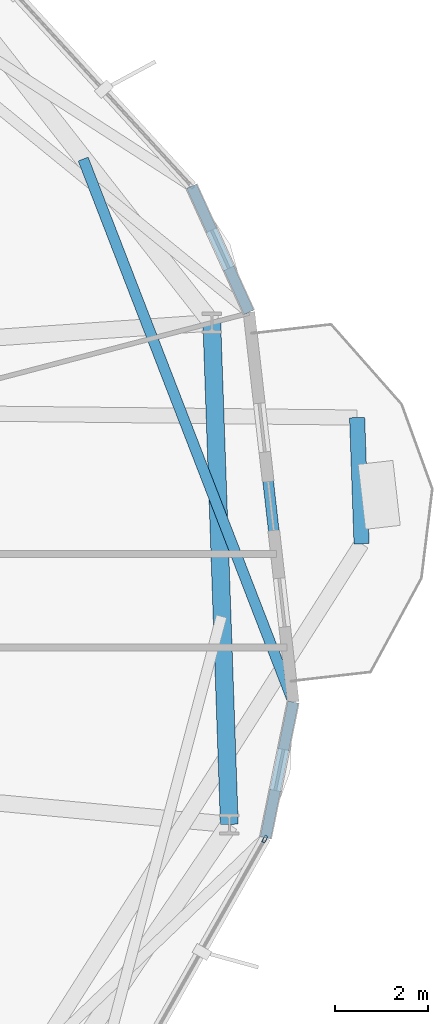
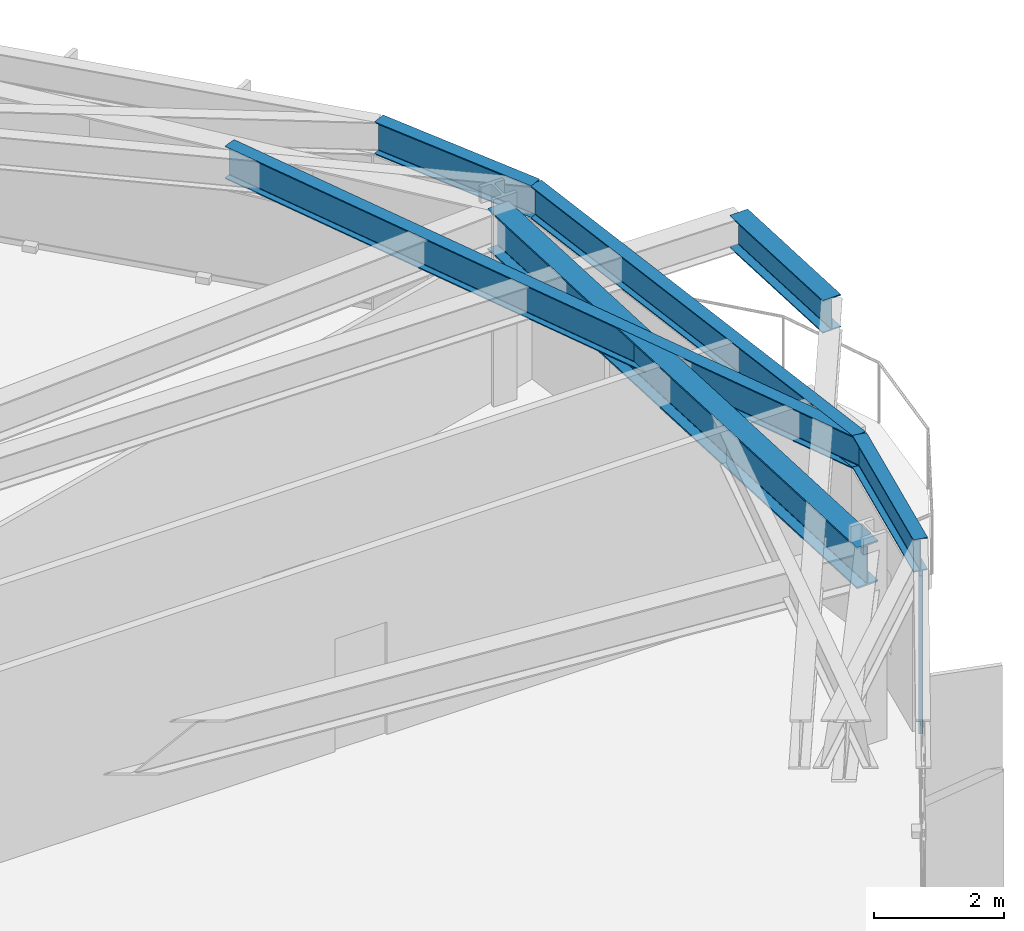
# One storey, part 12 of 23: 6 beams, 1 member, 1 element without a shape of its own.
"""IFC4 building model written with IfcOpenShell, lengths in metres."""

import ifcopenshell
import ifcopenshell.guid

model = None  # the IFC model being written
_history = None  # IfcOwnerHistory: only IFC2X3 demands one
_inside = {}  # id of a spatial element -> (the spatial element, [elements in it])
_under = {}  # id of a project, library or spatial element -> (it, [spatial elements below it])
_declared = {}  # id of a project -> (the project, [libraries it declares])
_typed = {}  # id of a type object -> (the type object, [elements of that type])
_made_of = {}  # id of a material, layer set ... -> (it, [elements and type objects made of it])


def new_model(schema):
    """Start an empty IFC model of exactly this schema.

    Asked for "IFC4X3", IfcOpenShell would pick the latest addendum, in which some entities
    have other attributes; the version numbers below select the first issue.
    IFC2X3 requires an IfcOwnerHistory on every rooted entity: one is made here for all.
    """
    global model, _history
    if schema == "IFC4X3":
        model = ifcopenshell.file(schema_version=(4, 3, 0, 0))
    else:
        model = ifcopenshell.file(schema=schema)
    _inside.clear()
    _under.clear()
    _declared.clear()
    _typed.clear()
    _made_of.clear()
    _history = None
    if model.schema == "IFC2X3":
        org = make("IfcOrganization", Name="unknown")
        user = make(
            "IfcPersonAndOrganization",
            ThePerson=make("IfcPerson", FamilyName="unknown"),
            TheOrganization=org,
        )
        app = make(
            "IfcApplication",
            ApplicationDeveloper=org,
            Version="unknown",
            ApplicationFullName="unknown",
            ApplicationIdentifier="unknown",
        )
        _history = make(
            "IfcOwnerHistory",
            OwningUser=user,
            OwningApplication=app,
            ChangeAction="ADDED",
            CreationDate=0,
        )
    return model


def make(cls, **values):
    """One entity of the class cls with the attributes given. An attribute that is None is left unset."""
    return model.create_entity(
        cls, **{name: value for name, value in values.items() if value is not None}
    )


def rooted(cls, **values):
    """An entity with a GlobalId (a new one), such as an element, a storey or a relation."""
    return make(cls, GlobalId=ifcopenshell.guid.new(), OwnerHistory=_history, **values)


def si_unit(unit_type, name, prefix=None):
    """IfcSIUnit, for example si_unit("LENGTHUNIT", "METRE", prefix="MILLI")."""
    return make("IfcSIUnit", UnitType=unit_type, Prefix=prefix, Name=name)


def assignment(units):
    """IfcUnitAssignment: the units of a project."""
    return None if units is None else make("IfcUnitAssignment", Units=units)


def point(xyz):
    """IfcCartesianPoint."""
    return None if xyz is None else make("IfcCartesianPoint", Coordinates=xyz)


def direction(xyz):
    """IfcDirection."""
    return None if xyz is None else make("IfcDirection", DirectionRatios=xyz)


def frame(location, z_axis=None, x_axis=None):
    """IfcAxis2Placement3D, a coordinate frame: its origin and axes. An axis left out is left unset."""
    return make(
        "IfcAxis2Placement3D",
        Location=point(location),
        Axis=direction(z_axis),
        RefDirection=direction(x_axis),
    )


def frame_2d(location, x_axis=None):
    """IfcAxis2Placement2D, a coordinate frame in the plane: its origin and x axis."""
    return make(
        "IfcAxis2Placement2D", Location=point(location), RefDirection=direction(x_axis)
    )


def origin():
    """The frame at (0, 0, 0) with its axes left unset."""
    return frame((0.0, 0.0, 0.0))


def origin_2d():
    """The frame at (0, 0) in the plane with its x axis left unset."""
    return frame_2d((0.0, 0.0))


def place(relative_to, where):
    """IfcLocalPlacement: puts the frame where relative to a parent placement (None: the world)."""
    return make(
        "IfcLocalPlacement", PlacementRelTo=relative_to, RelativePlacement=where
    )


def context(
    kind, dimensions, precision=None, world=None, true_north=None, identifier=None
):
    """IfcGeometricRepresentationContext, for example the 3D "Model" context."""
    return make(
        "IfcGeometricRepresentationContext",
        ContextIdentifier=identifier,
        ContextType=kind,
        CoordinateSpaceDimension=dimensions,
        Precision=precision,
        WorldCoordinateSystem=world,
        TrueNorth=true_north,
    )


def subcontext(parent, identifier, kind, view, scale=None):
    """IfcGeometricRepresentationSubContext, for example "Body" below "Model"."""
    return make(
        "IfcGeometricRepresentationSubContext",
        ContextIdentifier=identifier,
        ContextType=kind,
        ParentContext=parent,
        TargetScale=scale,
        TargetView=view,
    )


def project(units=None, contexts=None):
    """IfcProject with its units and contexts."""
    return rooted(
        "IfcProject",
        Name="project",
        RepresentationContexts=contexts,
        UnitsInContext=assignment(units),
    )


def spatial(cls, under=None, at=None, **own):
    """A site, building, storey or space (cls), placed at a placement, below another one or the project."""
    s = rooted(cls, ObjectPlacement=at, **own)
    if under is not None:
        _under.setdefault(under.id(), (under, []))[1].append(s)
    return s


def profile(cls, at=None, kind="AREA", **sizes):
    """A parametric profile (cls). Its sizes go by their IFC names, for example OverallWidth=200.0."""
    return make(cls, ProfileType=kind, Position=at, **sizes)


def hollow_rectangle(**sizes):
    """IfcRectangleHollowProfileDef."""
    return profile("IfcRectangleHollowProfileDef", **sizes)


def i_section(**sizes):
    """IfcIShapeProfileDef."""
    return profile("IfcIShapeProfileDef", **sizes)


def extrude(swept, where, along, depth):
    """IfcExtrudedAreaSolid: the profile swept, set in the frame where, extruded along a direction by depth."""
    return make(
        "IfcExtrudedAreaSolid",
        SweptArea=swept,
        Position=where,
        ExtrudedDirection=direction(along),
        Depth=depth,
    )


def shape(context_of_items, identifier, shape_type, items):
    """IfcShapeRepresentation: the items that make up one representation, for example the "Body"."""
    return make(
        "IfcShapeRepresentation",
        ContextOfItems=context_of_items,
        RepresentationIdentifier=identifier,
        RepresentationType=shape_type,
        Items=items,
    )


def material(Name=None, Category=None):
    """IfcMaterial."""
    return make("IfcMaterial", Name=Name, Category=Category)


def layer(
    of_material, thickness, ventilated=None, Name=None, Category=None, Priority=None
):
    """IfcMaterialLayer: one layer of a wall or slab, of a material (None: an air gap)."""
    return make(
        "IfcMaterialLayer",
        Material=of_material,
        LayerThickness=thickness,
        IsVentilated=ventilated,
        Name=Name,
        Category=Category,
        Priority=Priority,
    )


def layer_set(layers, Name=None):
    """IfcMaterialLayerSet."""
    return make("IfcMaterialLayerSet", MaterialLayers=layers, LayerSetName=Name)


def material_profile(
    of_material, cross_section, Name=None, Category=None, Priority=None
):
    """IfcMaterialProfile: a cross section and its material."""
    return make(
        "IfcMaterialProfile",
        Name=Name,
        Material=of_material,
        Profile=cross_section,
        Priority=Priority,
        Category=Category,
    )


def profile_set(profiles, Name=None, composite=None):
    """IfcMaterialProfileSet."""
    return make(
        "IfcMaterialProfileSet",
        Name=Name,
        MaterialProfiles=profiles,
        CompositeProfile=composite,
    )


def made_of(thing, what):
    """Note that an element or type object is made of a material, layer set ...; save() writes the relation."""
    if what is not None:
        _made_of.setdefault(what.id(), (what, []))[1].append(thing)
    return thing


def type_object(cls, material=None, **own):
    """A type object (cls), such as IfcWallType, which elements share."""
    return made_of(rooted(cls, **own), material)


def element(
    cls,
    number,
    at=None,
    inside=None,
    cuts=None,
    type_object=None,
    material=None,
    context=None,
    identifier="Body",
    shape_type=None,
    held_by="IfcProductDefinitionShape",
    body=None,
    shapes=None,
    **own,
):
    """One element of the class cls, such as IfcWall. Its Tag is "e" and its number.

    at: its placement. inside: the storey or other place that contains it. cuts: it is an
    opening in that element (IfcRelVoidsElement). A single representation is given by context,
    identifier, shape_type and body (its items); several are given by shapes. held_by: the class
    of the entity that holds the representations. save() writes the other relations.
    """
    e = rooted(cls, Tag="e%d" % number, ObjectPlacement=at, **own)
    if body is not None:
        shapes = [shape(context, identifier, shape_type, body)]
    if shapes is not None:
        e.Representation = make(held_by, Representations=shapes)
    if inside is not None:
        _inside.setdefault(inside.id(), (inside, []))[1].append(e)
    if cuts is not None:
        rooted(
            "IfcRelVoidsElement", RelatingBuildingElement=cuts, RelatedOpeningElement=e
        )
    if type_object is not None:
        _typed.setdefault(type_object.id(), (type_object, []))[1].append(e)
    return made_of(e, material)


def aggregate(whole, parts):
    """IfcRelAggregates: a whole, such as a stair, and the parts it consists of."""
    return rooted("IfcRelAggregates", RelatingObject=whole, RelatedObjects=parts)


def save(model, path):
    """Write the relations noted so far, then the file.

    IfcRelAggregates (storeys below a building ...), IfcRelContainedInSpatialStructure (elements
    in a storey), IfcRelDefinesByType, IfcRelAssociatesMaterial and IfcRelDeclares: one each for
    every whole, place, type object, material and project.
    """
    for whole, parts in _under.values():
        aggregate(whole, parts)
    for where, things in _inside.values():
        rooted(
            "IfcRelContainedInSpatialStructure",
            RelatedElements=things,
            RelatingStructure=where,
        )
    for kind, things in _typed.values():
        rooted("IfcRelDefinesByType", RelatedObjects=things, RelatingType=kind)
    for what, things in _made_of.values():
        rooted("IfcRelAssociatesMaterial", RelatedObjects=things, RelatingMaterial=what)
    for by, libraries in _declared.values():
        rooted("IfcRelDeclares", RelatingContext=by, RelatedDefinitions=libraries)
    model.write(path)


model = new_model("IFC4")

# Units and contexts
model_context = context("Model", 3, precision=1e-05, world=origin(), true_north=direction((0.0, 1.0)))
body_context = subcontext(model_context, "Body", "Model", "MODEL_VIEW")
ifc_project = project(units=[si_unit("LENGTHUNIT", "METRE"), si_unit("AREAUNIT", "SQUARE_METRE"), si_unit("VOLUMEUNIT", "CUBIC_METRE"), si_unit("PLANEANGLEUNIT", "RADIAN"), si_unit("MASSUNIT", "GRAM", prefix="KILO")], contexts=[model_context])

# Site, building, storey
site_placement = place(None, origin())
site = spatial("IfcSite", under=ifc_project, at=site_placement, CompositionType="ELEMENT")
building_placement = place(site_placement, origin())
building = spatial("IfcBuilding", under=site, at=building_placement, Name="Soratama Intermodal Tower", CompositionType="ELEMENT")
storey_placement = place(building_placement, frame((0.0, 0.0, 122.5)))
storey = spatial("IfcBuildingStorey", under=building, at=storey_placement, Name="L29", CompositionType="ELEMENT", Elevation=122.5)

# Beams
ifc_material_1 = material(Name="Structural steel ASTM A992 Grade 50", Category="steel")
ifc_material_profile_1 = material_profile(ifc_material_1, i_section(OverallWidth=0.324951171875, OverallDepth=0.615966796875, WebThickness=0.013916015625, FlangeThickness=0.021484375, FilletRadius=0.013916015625, at=origin_2d()), Name="W24X117")
ifc_profile_set_1 = profile_set([ifc_material_profile_1], Name="Structural steel ASTM A992 Grade 50")
beam_type_1 = type_object("IfcBeamType", Name="BM-CANT-W24X117", PredefinedType="BEAM", material=ifc_profile_set_1)
beam_1_placement = place(storey_placement, frame((64.55908203125, 26.216064453125, 3.2919921875), z_axis=(-0.035089849162, 0.999384161614, 0.0), x_axis=(-0.999384161614, -0.035089849162, 0.0)))
element("IfcBeam", 1, at=beam_1_placement, inside=storey, type_object=beam_type_1, Name="BM-L29-CBHDR-1", PredefinedType="BEAM", context=body_context, shape_type="SweptSolid", body=[
    extrude(i_section(OverallWidth=0.324951171875, OverallDepth=0.615966796875, WebThickness=0.013916015625, FlangeThickness=0.021484375, FilletRadius=0.013916015625, at=origin_2d()), origin(), (0.0, 0.0, 1.0), 2.70654296875),
])
ifc_material_2 = material(Name="Structural steel ASTM A992 Grade 50", Category="steel")
ifc_material_profile_2 = material_profile(ifc_material_2, i_section(OverallWidth=0.382080078125, OverallDepth=0.779052734375, WebThickness=0.01806640625, FlangeThickness=0.030029296875, FilletRadius=0.01806640625, at=origin_2d()), Name="W30X191")
ifc_profile_set_2 = profile_set([ifc_material_profile_2], Name="Structural steel ASTM A992 Grade 50")
beam_type_2 = type_object("IfcBeamType", Name="BM-RING-W30X191", PredefinedType="BEAM", material=ifc_profile_set_2)
beam_2_placement = place(storey_placement, frame((61.72607421875, 20.2041015625, 3.21044921875), z_axis=(-0.034872799059, 0.999391758964, 0.0), x_axis=(-0.999391758964, -0.034872799059, 0.0)))
element("IfcBeam", 2, at=beam_2_placement, inside=storey, type_object=beam_type_2, Name="BM-L29-RING-10", PredefinedType="BEAM", context=body_context, shape_type="SweptSolid", body=[
    extrude(i_section(OverallWidth=0.382080078125, OverallDepth=0.779052734375, WebThickness=0.01806640625, FlangeThickness=0.030029296875, FilletRadius=0.01806640625, at=origin_2d()), origin(), (0.0, 0.0, 1.0), 10.75341796875),
])
ifc_material_3 = material(Name="Structural steel ASTM A992 Grade 50", Category="steel")
ifc_material_profile_3 = material_profile(ifc_material_3, i_section(OverallWidth=0.22900390625, OverallDepth=0.612060546875, WebThickness=0.011962890625, FlangeThickness=0.01953125, FilletRadius=0.012939453125, at=origin_2d()), Name="W24X84")
ifc_profile_set_3 = profile_set([ifc_material_profile_3], Name="Structural steel ASTM A992 Grade 50")
beam_type_3 = type_object("IfcBeamType", Name="BM-SPN-W24X84", PredefinedType="SPANDREL", material=ifc_profile_set_3)
beam_3_placement = place(storey_placement, frame((62.5029296875, 19.9189453125, 3.2939453125), z_axis=(0.199564973958, 0.979884595842, 0.0), x_axis=(-0.979884595842, 0.199564973958, 0.0)))
element("IfcBeam", 3, at=beam_3_placement, inside=storey, type_object=beam_type_3, Name="BS-L29-CRN09", PredefinedType="SPANDREL", context=body_context, shape_type="SweptSolid", body=[
    extrude(i_section(OverallWidth=0.22900390625, OverallDepth=0.612060546875, WebThickness=0.011962890625, FlangeThickness=0.01953125, FilletRadius=0.012939453125, at=origin_2d()), origin(), (0.0, 0.0, 1.0), 2.966552734375),
])
beam_4_placement = place(storey_placement, frame((63.094970703125, 22.825927734375, 3.2939453125), z_axis=(-0.112793672732, 0.993618431487, 0.0), x_axis=(-0.993618431487, -0.112793672732, 0.0)))
element("IfcBeam", 4, at=beam_4_placement, inside=storey, type_object=beam_type_3, Name="BS-L29-F10", PredefinedType="SPANDREL", context=body_context, shape_type="SweptSolid", body=[
    extrude(i_section(OverallWidth=0.22900390625, OverallDepth=0.612060546875, WebThickness=0.011962890625, FlangeThickness=0.01953125, FilletRadius=0.012939453125, at=origin_2d()), origin(), (0.0, 0.0, 1.0), 8.40478515625),
])
beam_5_placement = place(storey_placement, frame((62.14697265625, 31.177001953125, 3.2939453125), z_axis=(-0.414292732042, 0.910143687654, 0.0), x_axis=(-0.910143687654, -0.414292732042, 0.0)))
element("IfcBeam", 5, at=beam_5_placement, inside=storey, type_object=beam_type_3, Name="BS-L29-CRN10", PredefinedType="SPANDREL", context=body_context, shape_type="SweptSolid", body=[
    extrude(i_section(OverallWidth=0.22900390625, OverallDepth=0.612060546875, WebThickness=0.011962890625, FlangeThickness=0.01953125, FilletRadius=0.012939453125, at=origin_2d()), origin(), (0.0, 0.0, 1.0), 2.966552734375),
])
ifc_material_4 = material(Name="Structural steel ASTM A992 Grade 50", Category="steel")
ifc_material_profile_4 = material_profile(ifc_material_4, i_section(OverallWidth=0.22900390625, OverallDepth=0.612060546875, WebThickness=0.011962890625, FlangeThickness=0.01953125, FilletRadius=0.012939453125, at=origin_2d()), Name="W24X84")
ifc_profile_set_4 = profile_set([ifc_material_profile_4], Name="Structural steel ASTM A992 Grade 50")
beam_type_4 = type_object("IfcBeamType", Name="BM-TIE-W24X84", PredefinedType="BEAM", material=ifc_profile_set_4)
beam_6_placement = place(storey_placement, frame((58.594970703125, 34.458984375, 3.2939453125), z_axis=(0.360776642173, -0.932652247337, 0.0), x_axis=(0.932652247337, 0.360776642173, 0.0)))
element("IfcBeam", 6, at=beam_6_placement, inside=storey, type_object=beam_type_4, Name="BM-L29-TIE0-10", PredefinedType="BEAM", context=body_context, shape_type="SweptSolid", body=[
    extrude(i_section(OverallWidth=0.22900390625, OverallDepth=0.612060546875, WebThickness=0.011962890625, FlangeThickness=0.01953125, FilletRadius=0.012939453125, at=origin_2d()), origin(), (0.0, 0.0, 1.0), 12.47314453125),
])

# Curtain wall, member
ifc_material_5 = material(Name="Double-glazed aluminium curtain wall", Category="aluminium")
ifc_layer = layer(ifc_material_5, 0.159912109375)
ifc_layer_set = layer_set([ifc_layer], Name="Double-glazed aluminium curtain wall")
curtain_wall_type = type_object("IfcCurtainWallType", Name="CW-SYS-3", PredefinedType="NOTDEFINED", material=ifc_layer_set)
curtain_wall_placement = place(storey_placement, origin())
curtain_wall = element("IfcCurtainWall", 7, at=curtain_wall_placement, inside=storey, type_object=curtain_wall_type, Name="L29 Faceted Curtain Wall F09", PredefinedType="NOTDEFINED")
ifc_material_6 = material(Name="Anodised aluminium AA 6063-T6", Category="aluminium")
ifc_material_profile_5 = material_profile(ifc_material_6, hollow_rectangle(XDim=0.070068359375, YDim=0.159912109375, WallThickness=0.0048828125, InnerFilletRadius=0.0048828125, OuterFilletRadius=0.010009765625, at=origin_2d()), Name="CWM160X70X5")
ifc_profile_set_5 = profile_set([ifc_material_profile_5], Name="Anodised aluminium AA 6063-T6")
member_type = type_object("IfcMemberType", Name="MT-CWM-3", PredefinedType="MULLION", material=ifc_profile_set_5)
member_placement = place(storey_placement, frame((62.48828125, 19.892578125, 0.0), z_axis=(0.0, 0.0, 1.0), x_axis=(-0.870183228771, 0.492728270314, 0.0)))
member = element("IfcMember", 8, at=member_placement, type_object=member_type, Name="CW-3 mullion 2", PredefinedType="MULLION", context=body_context, shape_type="SweptSolid", body=[
    extrude(hollow_rectangle(XDim=0.070068359375, YDim=0.159912109375, WallThickness=0.0048828125, InnerFilletRadius=0.0048828125, OuterFilletRadius=0.010009765625, at=origin_2d()), origin(), (0.0, 0.0, 1.0), 2.97900390625),
])
aggregate(curtain_wall, [member])

save(model, "model.ifc")
